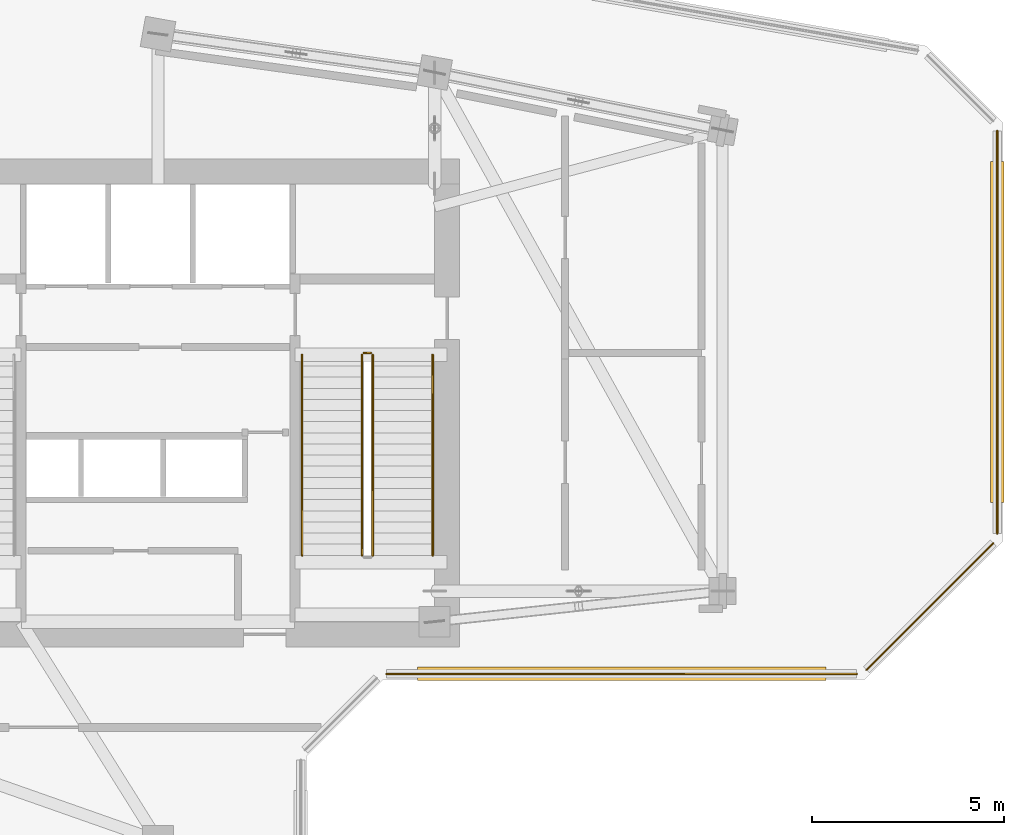
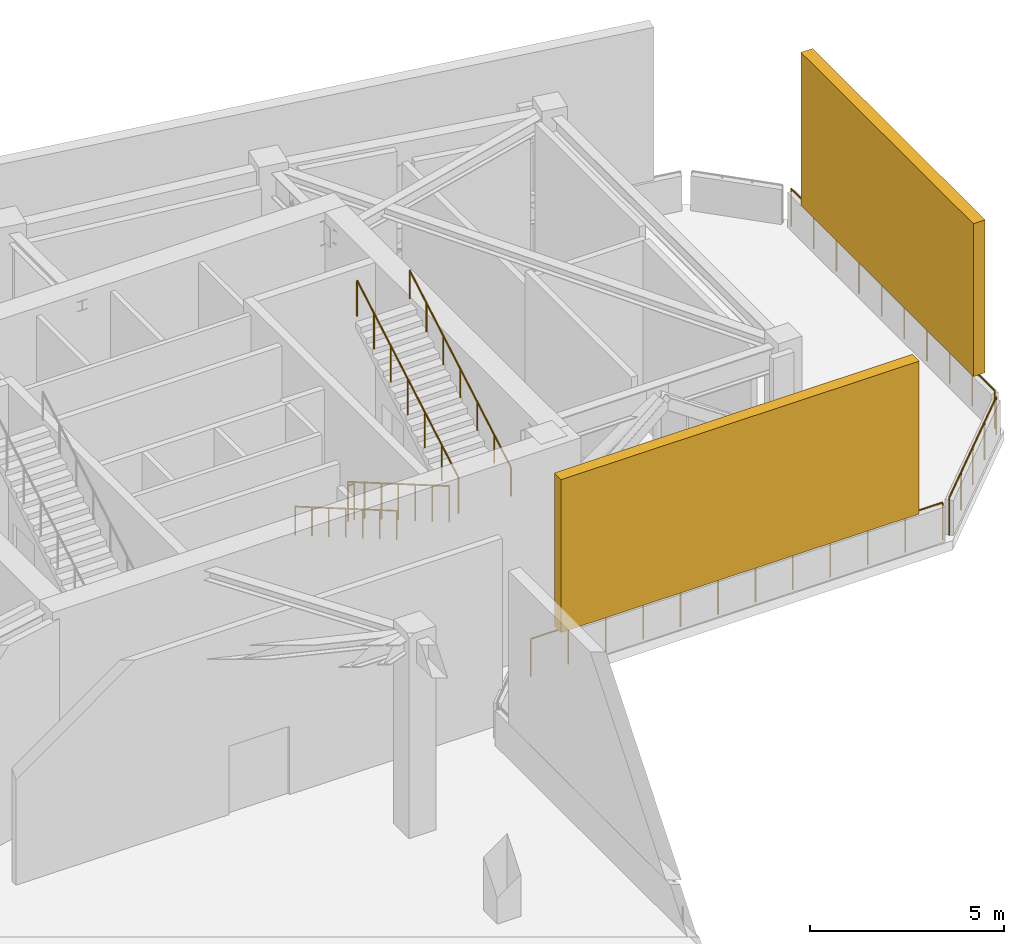
# One storey, part 9 of 10: 8 railings, 2 shading devices.
"""IFC4 building model written with IfcOpenShell, lengths in metres."""

from ifc_helpers import new_model, si_unit, direction, frame, frame_2d, origin, origin_2d, place, context, subcontext, project, spatial, rectangle, circle, extrude, material, type_object, element, save


model = new_model("IFC4")

# Units and contexts
model_context = context("Model", 3, precision=1e-05, world=origin(), true_north=direction((0.0, 1.0)))
body_context = subcontext(model_context, "Body", "Model", "MODEL_VIEW")
ifc_project = project(units=[si_unit("LENGTHUNIT", "METRE"), si_unit("AREAUNIT", "SQUARE_METRE"), si_unit("VOLUMEUNIT", "CUBIC_METRE"), si_unit("PLANEANGLEUNIT", "RADIAN"), si_unit("MASSUNIT", "GRAM", prefix="KILO")], contexts=[model_context])

# Site, building, storey
site_placement = place(None, origin())
site = spatial("IfcSite", under=ifc_project, at=site_placement, CompositionType="ELEMENT")
building_placement = place(site_placement, origin())
building = spatial("IfcBuilding", under=site, at=building_placement, Name="Calvemar Wedge Station Tower", CompositionType="ELEMENT")
storey_placement = place(building_placement, frame((0.0, 0.0, 242.89990234375)))
storey = spatial("IfcBuildingStorey", under=building, at=storey_placement, Name="L62", CompositionType="ELEMENT", Elevation=242.89990234375)

# Railings
ifc_material_1 = material(Name="Stainless steel AISI 316L", Category="steel")
railing_type_1 = type_object("IfcRailingType", Name="GRD-WIND-1200", PredefinedType="GUARDRAIL", material=ifc_material_1)
railing_1_placement = place(storey_placement, frame((29.751953125, 32.842041015625, 0.0)))
element("IfcRailing", 1, at=railing_1_placement, inside=storey, type_object=railing_type_1, Name="Wind Floor L62 Perimeter Safety Guard 6", PredefinedType="GUARDRAIL", context=body_context, shape_type="SweptSolid", body=[
    extrude(circle(Radius=0.02392578125, at=origin_2d()), frame((0.0, 0.0, 1.17578125), z_axis=(1.0, 0.0, 0.0), x_axis=(0.0, 1.0, 0.0)), (0.0, 0.0, 1.0), 12.23583984375),
    extrude(circle(Radius=0.02099609375, at=origin_2d()), origin(), (0.0, 0.0, 1.0), 1.15185546875),
    extrude(circle(Radius=0.02099609375, at=origin_2d()), frame((1.1123046875, 0.0, 0.0)), (0.0, 0.0, 1.0), 1.15185546875),
    extrude(circle(Radius=0.02099609375, at=origin_2d()), frame((2.224609375, 0.0, 0.0)), (0.0, 0.0, 1.0), 1.15185546875),
    extrude(circle(Radius=0.02099609375, at=origin_2d()), frame((3.337158203125, 0.0, 0.0)), (0.0, 0.0, 1.0), 1.15185546875),
    extrude(circle(Radius=0.02099609375, at=origin_2d()), frame((4.449462890625, 0.0, 0.0)), (0.0, 0.0, 1.0), 1.15185546875),
    extrude(circle(Radius=0.02099609375, at=origin_2d()), frame((5.561767578125, 0.0, 0.0)), (0.0, 0.0, 1.0), 1.15185546875),
    extrude(circle(Radius=0.02099609375, at=origin_2d()), frame((6.674072265625, 0.0, 0.0)), (0.0, 0.0, 1.0), 1.15185546875),
    extrude(circle(Radius=0.02099609375, at=origin_2d()), frame((7.786376953125, 0.0, 0.0)), (0.0, 0.0, 1.0), 1.15185546875),
    extrude(circle(Radius=0.02099609375, at=origin_2d()), frame((8.898681640625, 0.0, 0.0)), (0.0, 0.0, 1.0), 1.15185546875),
    extrude(circle(Radius=0.02099609375, at=origin_2d()), frame((10.01123046875, 0.0, 0.0)), (0.0, 0.0, 1.0), 1.15185546875),
    extrude(circle(Radius=0.02099609375, at=origin_2d()), frame((11.12353515625, 0.0, 0.0)), (0.0, 0.0, 1.0), 1.15185546875),
    extrude(circle(Radius=0.02099609375, at=origin_2d()), frame((12.23583984375, 0.0, 0.0)), (0.0, 0.0, 1.0), 1.15185546875),
])
railing_2_placement = place(storey_placement, frame((42.243896484375, 32.947998046875, 0.0)))
element("IfcRailing", 2, at=railing_2_placement, inside=storey, type_object=railing_type_1, Name="Wind Floor L62 Perimeter Safety Guard 7", PredefinedType="GUARDRAIL", context=body_context, shape_type="SweptSolid", body=[
    extrude(circle(Radius=0.02392578125, at=origin_2d()), frame((0.0, 0.0, 1.17578125), z_axis=(0.707106781187, 0.707106781187, 0.0), x_axis=(-0.707106781187, 0.707106781187, 0.0)), (0.0, 0.0, 1.0), 4.6669921875),
    extrude(circle(Radius=0.02099609375, at=origin_2d()), origin(), (0.0, 0.0, 1.0), 1.15185546875),
    extrude(circle(Radius=0.02099609375, at=origin_2d()), frame((0.824951171875, 0.824951171875, 0.0)), (0.0, 0.0, 1.0), 1.15185546875),
    extrude(circle(Radius=0.02099609375, at=origin_2d()), frame((1.64990234375, 1.64990234375, 0.0)), (0.0, 0.0, 1.0), 1.15185546875),
    extrude(circle(Radius=0.02099609375, at=origin_2d()), frame((2.47509765625, 2.47509765625, 0.0)), (0.0, 0.0, 1.0), 1.15185546875),
    extrude(circle(Radius=0.02099609375, at=origin_2d()), frame((3.300048828125, 3.300048828125, 0.0)), (0.0, 0.0, 1.0), 1.15185546875),
])
railing_3_placement = place(storey_placement, frame((45.64990234375, 36.504150390625, 0.0)))
element("IfcRailing", 3, at=railing_3_placement, inside=storey, type_object=railing_type_1, Name="Wind Floor L62 Perimeter Safety Guard 8", PredefinedType="GUARDRAIL", context=body_context, shape_type="SweptSolid", body=[
    extrude(circle(Radius=0.02392578125, at=origin_2d()), frame((0.0, 0.0, 1.17578125), z_axis=(0.0, 1.0, 0.0), x_axis=(-1.0, 0.0, 0.0)), (0.0, 0.0, 1.0), 10.475830078125),
    extrude(circle(Radius=0.02099609375, at=origin_2d()), origin(), (0.0, 0.0, 1.0), 1.15185546875),
    extrude(circle(Radius=0.02099609375, at=origin_2d()), frame((0.0, 1.1640625, 0.0)), (0.0, 0.0, 1.0), 1.15185546875),
    extrude(circle(Radius=0.02099609375, at=origin_2d()), frame((0.0, 2.327880859375, 0.0)), (0.0, 0.0, 1.0), 1.15185546875),
    extrude(circle(Radius=0.02099609375, at=origin_2d()), frame((0.0, 3.491943359375, 0.0)), (0.0, 0.0, 1.0), 1.15185546875),
    extrude(circle(Radius=0.02099609375, at=origin_2d()), frame((0.0, 4.656005859375, 0.0)), (0.0, 0.0, 1.0), 1.15185546875),
    extrude(circle(Radius=0.02099609375, at=origin_2d()), frame((0.0, 5.81982421875, 0.0)), (0.0, 0.0, 1.0), 1.15185546875),
    extrude(circle(Radius=0.02099609375, at=origin_2d()), frame((0.0, 6.98388671875, 0.0)), (0.0, 0.0, 1.0), 1.15185546875),
    extrude(circle(Radius=0.02099609375, at=origin_2d()), frame((0.0, 8.14794921875, 0.0)), (0.0, 0.0, 1.0), 1.15185546875),
    extrude(circle(Radius=0.02099609375, at=origin_2d()), frame((0.0, 9.311767578125, 0.0)), (0.0, 0.0, 1.0), 1.15185546875),
    extrude(circle(Radius=0.02099609375, at=origin_2d()), frame((0.0, 10.475830078125, 0.0)), (0.0, 0.0, 1.0), 1.15185546875),
])
railing_type_2 = type_object("IfcRailingType", Name="RL-HANDRAIL-920", PredefinedType="HANDRAIL", material=ifc_material_1)
railing_4_placement = place(storey_placement, frame((27.550048828125, 41.14990234375, 0.16845703125)))
element("IfcRailing", 4, at=railing_4_placement, inside=storey, type_object=railing_type_2, Name="L62 ST-C2 stair handrail 1", PredefinedType="HANDRAIL", context=body_context, shape_type="SweptSolid", body=[
    extrude(circle(Radius=0.02392578125, at=origin_2d()), frame((0.0, 0.0, 0.89599609375), z_axis=(0.0, -0.864732288089, 0.502233083275), x_axis=(1.0, 0.0, 0.0)), (0.0, 0.0, 1.0), 6.03662109375),
    extrude(circle(Radius=0.02099609375, at=origin_2d()), origin(), (0.0, 0.0, 1.0), 0.871826171875),
    extrude(circle(Radius=0.02099609375, at=origin_2d()), frame((0.0, -0.8701171875, 0.50537109375)), (0.0, 0.0, 1.0), 0.871826171875),
    extrude(circle(Radius=0.02099609375, at=origin_2d()), frame((0.0, -1.739990234375, 1.010498046875)), (0.0, 0.0, 1.0), 0.871826171875),
    extrude(circle(Radius=0.02099609375, at=origin_2d()), frame((0.0, -2.60986328125, 1.515869140625)), (0.0, 0.0, 1.0), 0.871826171875),
    extrude(circle(Radius=0.02099609375, at=origin_2d()), frame((0.0, -3.47998046875, 2.021240234375)), (0.0, 0.0, 1.0), 0.871826171875),
    extrude(circle(Radius=0.02099609375, at=origin_2d()), frame((0.0, -4.35009765625, 2.5263671875)), (0.0, 0.0, 1.0), 0.871826171875),
    extrude(circle(Radius=0.02099609375, at=origin_2d()), frame((0.0, -5.219970703125, 3.03173828125)), (0.0, 0.0, 1.0), 0.871826171875),
])
railing_5_placement = place(storey_placement, frame((30.949951171875, 35.929931640625, 3.368408203125)))
element("IfcRailing", 5, at=railing_5_placement, inside=storey, type_object=railing_type_2, Name="L62 ST-C2 stair handrail 2", PredefinedType="HANDRAIL", context=body_context, shape_type="SweptSolid", body=[
    extrude(circle(Radius=0.02392578125, at=origin_2d()), frame((0.0, 0.0, 0.89599609375), z_axis=(0.0, 0.864732288089, 0.502233083275), x_axis=(-1.0, 0.0, 0.0)), (0.0, 0.0, 1.0), 6.03662109375),
    extrude(circle(Radius=0.02099609375, at=origin_2d()), origin(), (0.0, 0.0, 1.0), 0.871826171875),
    extrude(circle(Radius=0.02099609375, at=origin_2d()), frame((0.0, 0.8701171875, 0.50537109375)), (0.0, 0.0, 1.0), 0.871826171875),
    extrude(circle(Radius=0.02099609375, at=origin_2d()), frame((0.0, 1.739990234375, 1.010498046875)), (0.0, 0.0, 1.0), 0.871826171875),
    extrude(circle(Radius=0.02099609375, at=origin_2d()), frame((0.0, 2.60986328125, 1.515869140625)), (0.0, 0.0, 1.0), 0.871826171875),
    extrude(circle(Radius=0.02099609375, at=origin_2d()), frame((0.0, 3.47998046875, 2.021240234375)), (0.0, 0.0, 1.0), 0.871826171875),
    extrude(circle(Radius=0.02099609375, at=origin_2d()), frame((0.0, 4.35009765625, 2.5263671875)), (0.0, 0.0, 1.0), 0.871826171875),
    extrude(circle(Radius=0.02099609375, at=origin_2d()), frame((0.0, 5.219970703125, 3.03173828125)), (0.0, 0.0, 1.0), 0.871826171875),
])
ifc_material_2 = material(Name="Painted steel guardrail ASTM A500 Grade C", Category="steel")
railing_type_3 = type_object("IfcRailingType", Name="RL-STAIR-GUARD-1150", PredefinedType="GUARDRAIL", material=ifc_material_2)
railing_6_placement = place(storey_placement, frame((29.110107421875, 41.14990234375, 0.16845703125)))
element("IfcRailing", 6, at=railing_6_placement, inside=storey, type_object=railing_type_3, Name="L62 ST-C2 stair guard 1", PredefinedType="GUARDRAIL", context=body_context, shape_type="SweptSolid", body=[
    extrude(circle(Radius=0.02392578125, at=origin_2d()), frame((0.0, 0.0, 1.1259765625), z_axis=(0.0, -0.864732288089, 0.502233083275), x_axis=(1.0, 0.0, 0.0)), (0.0, 0.0, 1.0), 6.03662109375),
    extrude(circle(Radius=0.02099609375, at=origin_2d()), origin(), (0.0, 0.0, 1.0), 1.101806640625),
    extrude(circle(Radius=0.02099609375, at=origin_2d()), frame((0.0, -0.8701171875, 0.50537109375)), (0.0, 0.0, 1.0), 1.101806640625),
    extrude(circle(Radius=0.02099609375, at=origin_2d()), frame((0.0, -1.739990234375, 1.010498046875)), (0.0, 0.0, 1.0), 1.101806640625),
    extrude(circle(Radius=0.02099609375, at=origin_2d()), frame((0.0, -2.60986328125, 1.515869140625)), (0.0, 0.0, 1.0), 1.101806640625),
    extrude(circle(Radius=0.02099609375, at=origin_2d()), frame((0.0, -3.47998046875, 2.021240234375)), (0.0, 0.0, 1.0), 1.101806640625),
    extrude(circle(Radius=0.02099609375, at=origin_2d()), frame((0.0, -4.35009765625, 2.5263671875)), (0.0, 0.0, 1.0), 1.101806640625),
    extrude(circle(Radius=0.02099609375, at=origin_2d()), frame((0.0, -5.219970703125, 3.03173828125)), (0.0, 0.0, 1.0), 1.101806640625),
])
railing_7_placement = place(storey_placement, frame((29.389892578125, 35.929931640625, 3.368408203125)))
element("IfcRailing", 7, at=railing_7_placement, inside=storey, type_object=railing_type_3, Name="L62 ST-C2 stair guard 3", PredefinedType="GUARDRAIL", context=body_context, shape_type="SweptSolid", body=[
    extrude(circle(Radius=0.02392578125, at=origin_2d()), frame((0.0, 0.0, 1.1259765625), z_axis=(0.0, 0.864732288089, 0.502233083275), x_axis=(-1.0, 0.0, 0.0)), (0.0, 0.0, 1.0), 6.03662109375),
    extrude(circle(Radius=0.02099609375, at=origin_2d()), origin(), (0.0, 0.0, 1.0), 1.101806640625),
    extrude(circle(Radius=0.02099609375, at=origin_2d()), frame((0.0, 0.8701171875, 0.50537109375)), (0.0, 0.0, 1.0), 1.101806640625),
    extrude(circle(Radius=0.02099609375, at=origin_2d()), frame((0.0, 1.739990234375, 1.010498046875)), (0.0, 0.0, 1.0), 1.101806640625),
    extrude(circle(Radius=0.02099609375, at=origin_2d()), frame((0.0, 2.60986328125, 1.515869140625)), (0.0, 0.0, 1.0), 1.101806640625),
    extrude(circle(Radius=0.02099609375, at=origin_2d()), frame((0.0, 3.47998046875, 2.021240234375)), (0.0, 0.0, 1.0), 1.101806640625),
    extrude(circle(Radius=0.02099609375, at=origin_2d()), frame((0.0, 4.35009765625, 2.5263671875)), (0.0, 0.0, 1.0), 1.101806640625),
    extrude(circle(Radius=0.02099609375, at=origin_2d()), frame((0.0, 5.219970703125, 3.03173828125)), (0.0, 0.0, 1.0), 1.101806640625),
])
railing_8_placement = place(storey_placement, frame((29.159912109375, 41.199951171875, 0.0)))
element("IfcRailing", 8, at=railing_8_placement, inside=storey, type_object=railing_type_3, Name="L62 ST-C2 stair guard 4", PredefinedType="GUARDRAIL", context=body_context, shape_type="SweptSolid", body=[
    extrude(circle(Radius=0.02392578125, at=origin_2d()), frame((0.0, 0.0, 1.1259765625), z_axis=(1.0, 0.0, 0.0), x_axis=(0.0, 1.0, 0.0)), (0.0, 0.0, 1.0), 0.18017578125),
    extrude(circle(Radius=0.02099609375, at=origin_2d()), origin(), (0.0, 0.0, 1.0), 1.101806640625),
    extrude(circle(Radius=0.02099609375, at=origin_2d()), frame((0.18017578125, 0.0, 0.0)), (0.0, 0.0, 1.0), 1.101806640625),
])

# Shading devices
ifc_material_3 = material(Name="Anodised aluminium 6063-T6", Category="aluminium")
shading_device_type = type_object("IfcShadingDeviceType", Name="SHD-LOUVRE-1", PredefinedType="JALOUSIE", material=ifc_material_3)
shading_device_1_placement = place(storey_placement, frame((30.552001953125, 32.842041015625, 1.2001953125), z_axis=(0.0, 0.0, 1.0), x_axis=(1.0, 0.0, 0.0)))
element("IfcShadingDevice", 9, at=shading_device_1_placement, inside=storey, type_object=shading_device_type, Name="Wind Floor L62 Jalousie Intake Louvre 6", PredefinedType="JALOUSIE", context=body_context, shape_type="SweptSolid", body=[
    extrude(rectangle(XDim=10.635986328125, YDim=0.35009765625, at=frame_2d((5.31787109375, 0.0))), origin(), (0.0, 0.0, 1.0), 4.7998046875),
])
shading_device_2_placement = place(storey_placement, frame((45.64990234375, 37.30419921875, 1.2001953125), z_axis=(0.0, 0.0, 1.0), x_axis=(0.0, 1.0, 0.0)))
element("IfcShadingDevice", 10, at=shading_device_2_placement, inside=storey, type_object=shading_device_type, Name="Wind Floor L62 Jalousie Intake Louvre 8", PredefinedType="JALOUSIE", context=body_context, shape_type="SweptSolid", body=[
    extrude(rectangle(XDim=8.875732421875, YDim=0.35009765625, at=frame_2d((4.43798828125, 0.0))), origin(), (0.0, 0.0, 1.0), 4.7998046875),
])

save(model, "model.ifc")
